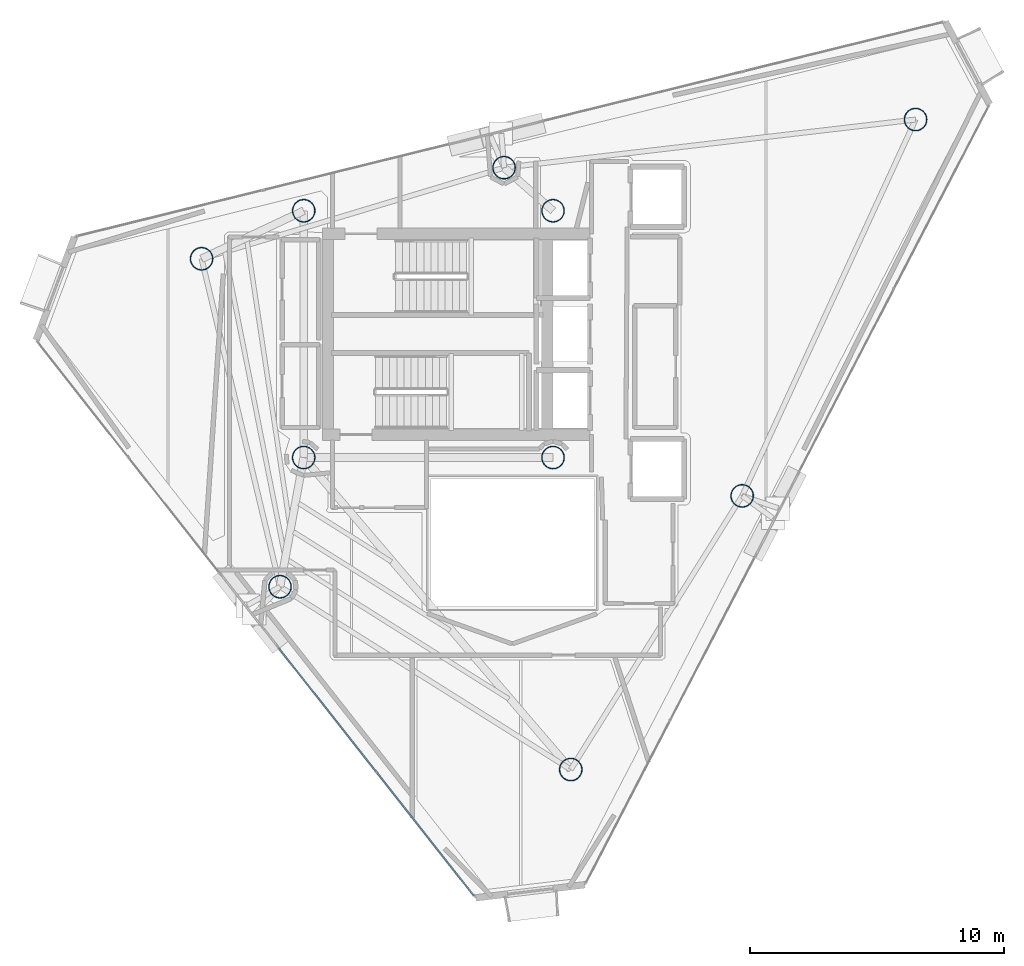
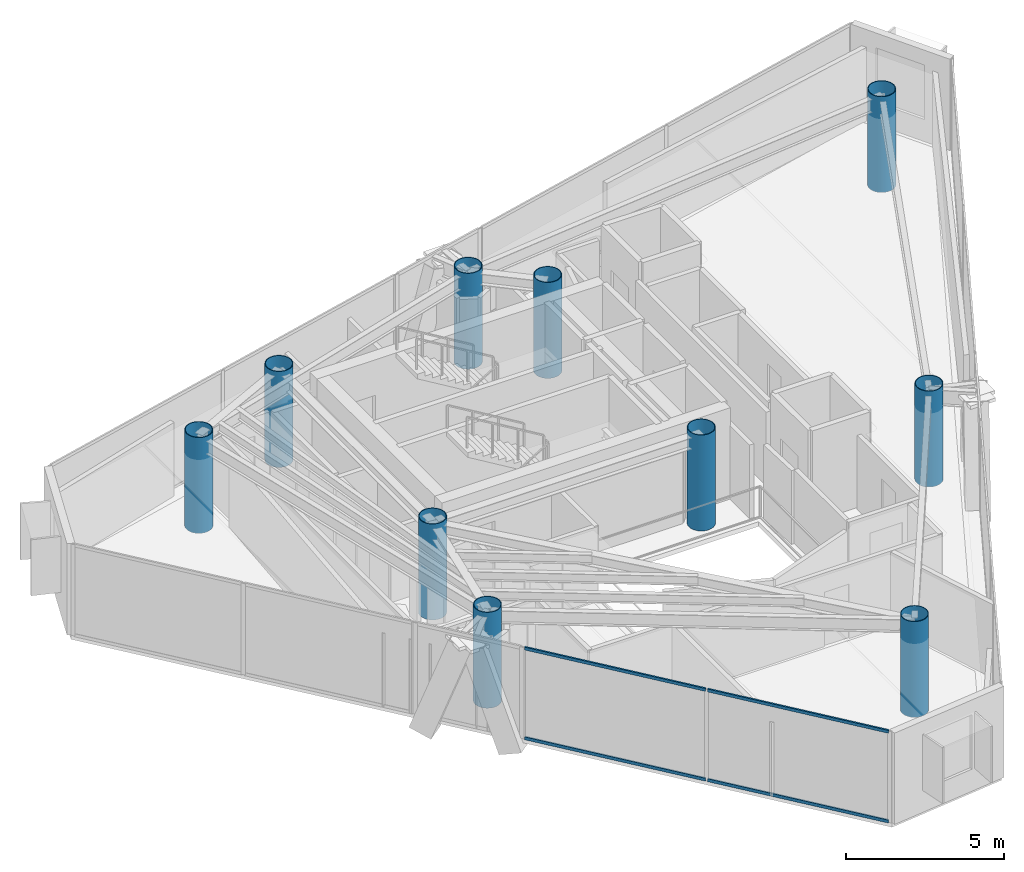
# One storey, part 1 of 21: 10 columns, 4 members, 1 element without a shape of its own.
"""IFC4 building model written with IfcOpenShell, lengths in metres."""

from ifc_helpers import new_model, si_unit, direction, frame, origin, origin_2d, place, context, subcontext, project, spatial, hollow_rectangle, hollow_circle, extrude, material, layer, layer_set, material_profile, profile_set, type_object, element, aggregate, save


model = new_model("IFC4")

# Units and contexts
model_context = context("Model", 3, precision=1e-05, world=origin(), true_north=direction((0.0, 1.0)))
body_context = subcontext(model_context, "Body", "Model", "MODEL_VIEW")
ifc_project = project(units=[si_unit("LENGTHUNIT", "METRE"), si_unit("AREAUNIT", "SQUARE_METRE"), si_unit("VOLUMEUNIT", "CUBIC_METRE"), si_unit("PLANEANGLEUNIT", "RADIAN"), si_unit("MASSUNIT", "GRAM", prefix="KILO")], contexts=[model_context])

# Site, building, storey
site_placement = place(None, origin())
site = spatial("IfcSite", under=ifc_project, at=site_placement, CompositionType="ELEMENT")
building_placement = place(site_placement, origin())
building = spatial("IfcBuilding", under=site, at=building_placement, Name="Qianvela Tower", CompositionType="ELEMENT")
storey_placement = place(building_placement, frame((0.0, 0.0, 310.199951171875)))
storey = spatial("IfcBuildingStorey", under=building, at=storey_placement, Name="L80", CompositionType="ELEMENT", Elevation=310.199951171875)

# Columns
ifc_material_1 = material(Name="Steel Q420GJC", Category="steel")
ifc_material_profile_1 = material_profile(ifc_material_1, hollow_circle(Radius=0.449951171875, WallThickness=0.02490234375, at=origin_2d()), Name="CFT-900x25")
ifc_profile_set_1 = profile_set([ifc_material_profile_1], Name="Steel Q420GJC")
column_type = type_object("IfcColumnType", Name="COL-CFT-900x25", PredefinedType="COLUMN", material=ifc_profile_set_1)
for number, where, z_axis, x_axis, name in (
    (1, (28.60009765625, 33.550048828125, 0.0), (0.0, 0.0, 1.0), (1.0, 0.0, 0.0), "L80 Core Corner Mega-Column CC-NW"),
    (2, (28.60009765625, 23.85009765625, 0.0), (0.0, 0.0, 1.0), (1.0, 0.0, 0.0), "L80 Core Corner Mega-Column CC-SW"),
    (3, (38.39990234375, 33.550048828125, 0.0), (0.0, 0.0, 1.0), (1.0, 0.0, 0.0), "L80 Core Corner Mega-Column CC-NE"),
    (4, (38.39990234375, 23.85009765625, 0.0), (0.0, 0.0, 1.0), (1.0, 0.0, 0.0), "L80 Core Corner Mega-Column CC-SE"),
    (5, (52.64794921875, 37.135009765625, 0.0), (0.0, 0.0, 1.0), (1.0, 0.0, 0.0), "L80 Zone Z7 CFT Mega-Column C1"),
    (6, (36.47607421875, 35.242919921875, 0.0), (0.0, 0.0, 1.0), (1.0, 0.0, 0.0), "L80 Zone Z7 CFT Mega-Column C2"),
    (7, (24.5869140625, 31.6630859375, 0.0), (0.0, 0.0, 1.0), (1.0, 0.0, 0.0), "L80 Zone Z7 CFT Mega-Column C3"),
    (8, (27.669921875, 18.77392578125, 0.0), (0.0, 0.0, 1.0), (1.0, 0.0, 0.0), "L80 Zone Z7 CFT Mega-Column C4"),
    (9, (39.095947265625, 11.587890625, 0.0), (0.0, 0.0, 1.0), (1.0, 0.0, 0.0), "L80 Zone Z7 CFT Mega-Column C5"),
    (10, (45.833984375, 22.344970703125, 0.0), (0.0, 0.0, 1.0), (1.0, 0.0, 0.0), "L80 Zone Z7 CFT Mega-Column C6"),
):
    element("IfcColumn", number, at=place(storey_placement, frame(where, z_axis=z_axis, x_axis=x_axis)), inside=storey, type_object=column_type, Name=name, PredefinedType="COLUMN", context=body_context, shape_type="SweptSolid", body=[
        extrude(hollow_circle(Radius=0.449951171875, WallThickness=0.02490234375, at=origin_2d()), origin(), (0.0, 0.0, 1.0), 3.699951171875),
    ])

# Curtain wall, members
ifc_material_2 = material(Name="Anodised Architectural Aluminium and Low-E Glass", Category="aluminium")
ifc_layer = layer(ifc_material_2, 0.14990234375)
ifc_layer_set = layer_set([ifc_layer], Name="Anodised Architectural Aluminium and Low-E Glass")
curtain_wall_type = type_object("IfcCurtainWallType", Name="CW-COLIV-Z78", PredefinedType="USERDEFINED", material=ifc_layer_set)
curtain_wall_placement = place(storey_placement, origin())
curtain_wall = element("IfcCurtainWall", 11, at=curtain_wall_placement, inside=storey, type_object=curtain_wall_type, Name="L80 CW-COLIV-Z78 Curtain Wall 04C", ObjectType="CURTAIN_WALL_SYSTEM", PredefinedType="USERDEFINED")
ifc_material_3 = material(Name="Anodised Architectural Aluminium 6063-T6", Category="aluminium")
ifc_material_profile_2 = material_profile(ifc_material_3, hollow_rectangle(XDim=0.06005859375, YDim=0.114990234375, WallThickness=0.00390625, at=origin_2d()), Name="ALU-TRAN-60x115")
ifc_profile_set_2 = profile_set([ifc_material_profile_2], Name="Anodised Architectural Aluminium 6063-T6")
member_type = type_object("IfcMemberType", Name="CW-COLIV-Z78-TRAN", PredefinedType="USERDEFINED", material=ifc_profile_set_2)
member_1_placement = place(storey_placement, frame((27.6318359375, 16.3515625, 0.030029296875), z_axis=(0.618960405009, -0.78542219031, 0.0), x_axis=(0.78542219031, 0.618960405009, 0.0)))
member_1 = element("IfcMember", 12, at=member_1_placement, type_object=member_type, Name="CW-6 transom 1.1", ObjectType="TRANSOM", PredefinedType="USERDEFINED", context=body_context, shape_type="SweptSolid", body=[
    extrude(hollow_rectangle(XDim=0.06005859375, YDim=0.114990234375, WallThickness=0.00390625, at=origin_2d()), origin(), (0.0, 0.0, 1.0), 6.159912109375),
])
member_2_placement = place(storey_placement, frame((27.6318359375, 16.3515625, 3.489990234375), z_axis=(0.618960405009, -0.78542219031, 0.0), x_axis=(0.78542219031, 0.618960405009, 0.0)))
member_2 = element("IfcMember", 13, at=member_2_placement, type_object=member_type, Name="CW-6 transom 1.2", ObjectType="TRANSOM", PredefinedType="USERDEFINED", context=body_context, shape_type="SweptSolid", body=[
    extrude(hollow_rectangle(XDim=0.06005859375, YDim=0.114990234375, WallThickness=0.00390625, at=origin_2d()), origin(), (0.0, 0.0, 1.0), 6.159912109375),
])
member_3_placement = place(storey_placement, frame((31.481689453125, 11.46630859375, 0.030029296875), z_axis=(0.6189848537, -0.785402922639, 0.0), x_axis=(0.785402922639, 0.6189848537, 0.0)))
member_3 = element("IfcMember", 14, at=member_3_placement, type_object=member_type, Name="CW-6 transom 2.1", ObjectType="TRANSOM", PredefinedType="USERDEFINED", context=body_context, shape_type="SweptSolid", body=[
    extrude(hollow_rectangle(XDim=0.06005859375, YDim=0.114990234375, WallThickness=0.00390625, at=origin_2d()), origin(), (0.0, 0.0, 1.0), 6.16015625),
])
member_4_placement = place(storey_placement, frame((31.481689453125, 11.46630859375, 3.489990234375), z_axis=(0.6189848537, -0.785402922639, 0.0), x_axis=(0.785402922639, 0.6189848537, 0.0)))
member_4 = element("IfcMember", 15, at=member_4_placement, type_object=member_type, Name="CW-6 transom 2.2", ObjectType="TRANSOM", PredefinedType="USERDEFINED", context=body_context, shape_type="SweptSolid", body=[
    extrude(hollow_rectangle(XDim=0.06005859375, YDim=0.114990234375, WallThickness=0.00390625, at=origin_2d()), origin(), (0.0, 0.0, 1.0), 6.16015625),
])
aggregate(curtain_wall, [member_1, member_2, member_3, member_4])

save(model, "model.ifc")
